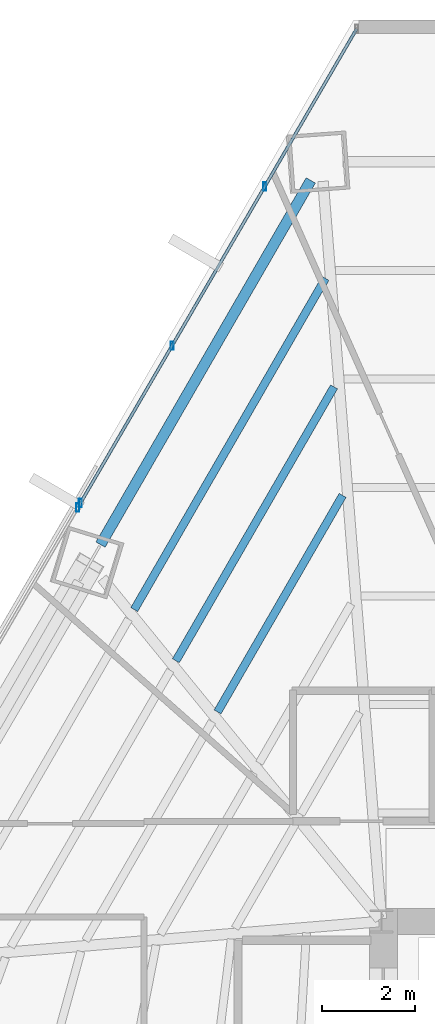
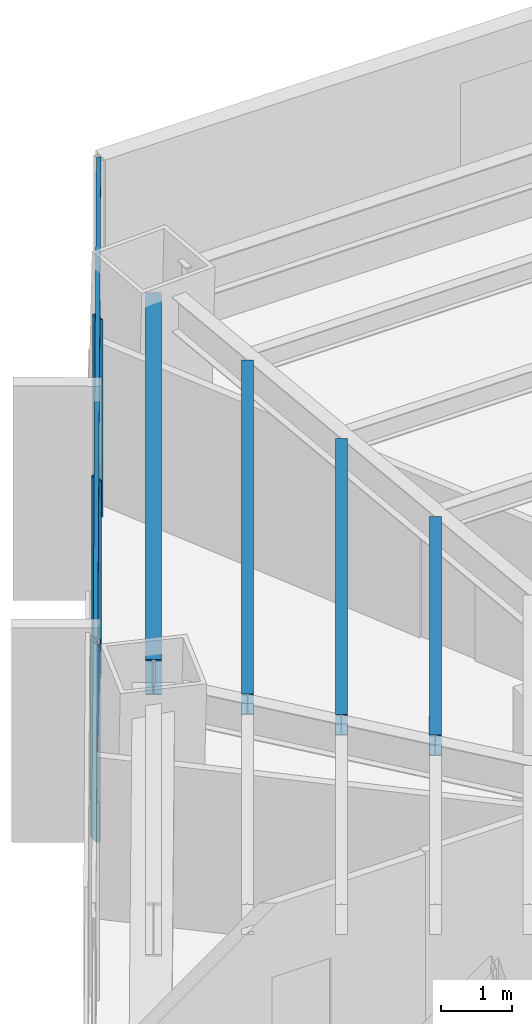
# One storey, part 26 of 37: 6 members, 4 beams, 2 elements without a shape of their own.
"""IFC4 building model written with IfcOpenShell, lengths in metres."""

from ifc_helpers import new_model, si_unit, direction, frame, origin, origin_2d, place, context, subcontext, project, spatial, hollow_rectangle, i_section, extrude, source, transform, mapped, material, material_profile, profile_set, type_object, type_shapes, element, aggregate, save


model = new_model("IFC4")

# Units and contexts
model_context = context("Model", 3, precision=1e-05, world=origin(), true_north=direction((0.0, 1.0)))
body_context = subcontext(model_context, "Body", "Model", "MODEL_VIEW")
ifc_project = project(units=[si_unit("LENGTHUNIT", "METRE"), si_unit("AREAUNIT", "SQUARE_METRE"), si_unit("VOLUMEUNIT", "CUBIC_METRE"), si_unit("PLANEANGLEUNIT", "RADIAN"), si_unit("MASSUNIT", "GRAM", prefix="KILO")], contexts=[model_context])

# Site, building, storey
site_placement = place(None, origin())
site = spatial("IfcSite", under=ifc_project, at=site_placement, CompositionType="ELEMENT")
building_placement = place(site_placement, origin())
building = spatial("IfcBuilding", under=site, at=building_placement, Name="Caelisora Broadcast Tower", CompositionType="ELEMENT")
storey_placement = place(building_placement, frame((0.0, 0.0, 45.85009765625)))
storey = spatial("IfcBuildingStorey", under=building, at=storey_placement, Name="L11", CompositionType="ELEMENT", Elevation=45.85009765625)

# Beams
ifc_material_1 = material(Name="Steel Grade 350 (AS/NZS 3679.1)", Category="steel")
ifc_material_profile_1 = material_profile(ifc_material_1, i_section(OverallWidth=0.22900390625, OverallDepth=0.611572265625, WebThickness=0.011962890625, FlangeThickness=0.01953125, at=origin_2d()), Name="Steel Grade 350 (AS/NZS 3679.1)")
ifc_profile_set_1 = profile_set([ifc_material_profile_1], Name="Steel Grade 350 (AS/NZS 3679.1)")
beam_type_1 = type_object("IfcBeamType", Name="PG03", PredefinedType="BEAM", material=ifc_profile_set_1)
shared_shape_1 = source(origin(), body_context, "Body", "SweptSolid", [
    extrude(i_section(OverallWidth=0.22900390625, OverallDepth=0.611572265625, WebThickness=0.011962890625, FlangeThickness=0.01953125, at=origin_2d()), origin(), (0.0, 0.0, 1.0), 9.03125),
])
type_shapes(beam_type_1, [shared_shape_1])
beam_1_placement = place(storey_placement, frame((28.981689453125, 45.912109375, 3.093994140625), z_axis=(-0.500020411631, -0.866013618803, 0.0), x_axis=(0.866013618803, -0.500020411631, 0.0)))
element("IfcBeam", 1, at=beam_1_placement, inside=storey, type_object=beam_type_1, Name="L11 beam PG03", PredefinedType="BEAM", context=body_context, shape_type="MappedRepresentation", body=[
    mapped(shared_shape_1, transform((0.0, 0.0, 0.0), scale=1.0)),
])
ifc_material_profile_2 = material_profile(ifc_material_1, i_section(OverallWidth=0.172119140625, OverallDepth=0.358642578125, WebThickness=0.008056640625, FlangeThickness=0.012939453125, at=origin_2d()), Name="Steel Grade 350 (AS/NZS 3679.1)")
ifc_profile_set_2 = profile_set([ifc_material_profile_2], Name="Steel Grade 350 (AS/NZS 3679.1)")
beam_type_2 = type_object("IfcBeamType", Name="SB02", PredefinedType="JOIST", material=ifc_profile_set_2)
shared_shape_2 = source(origin(), body_context, "Body", "SweptSolid", [
    extrude(i_section(OverallWidth=0.172119140625, OverallDepth=0.358642578125, WebThickness=0.008056640625, FlangeThickness=0.012939453125, at=origin_2d()), origin(), (0.0, 0.0, 1.0), 5.369384765625),
])
beam_2_placement = place(storey_placement, frame((29.664794921875, 39.148681640625, 3.220703125), z_axis=(-0.500026830324, -0.866009912735, 0.0), x_axis=(0.866009912735, -0.500026830324, 0.0)))
element("IfcBeam", 2, at=beam_2_placement, inside=storey, type_object=beam_type_2, Name="L11 beam SB02", PredefinedType="JOIST", context=body_context, shape_type="MappedRepresentation", body=[
    mapped(shared_shape_2, transform((0.0, 0.0, 0.0), scale=1.0)),
])
shared_shape_3 = source(origin(), body_context, "Body", "SweptSolid", [
    extrude(i_section(OverallWidth=0.172119140625, OverallDepth=0.358642578125, WebThickness=0.008056640625, FlangeThickness=0.012939453125, at=origin_2d()), origin(), (0.0, 0.0, 1.0), 6.791015625),
])
beam_3_placement = place(storey_placement, frame((29.480712890625, 41.478759765625, 3.220703125), z_axis=(-0.500005645154, -0.866022144529, 0.0), x_axis=(0.866022144529, -0.500005645154, 0.0)))
element("IfcBeam", 3, at=beam_3_placement, inside=storey, type_object=beam_type_2, Name="L11 beam SB02", PredefinedType="JOIST", context=body_context, shape_type="MappedRepresentation", body=[
    mapped(shared_shape_3, transform((0.0, 0.0, 0.0), scale=1.0)),
])
shared_shape_4 = source(origin(), body_context, "Body", "SweptSolid", [
    extrude(i_section(OverallWidth=0.172119140625, OverallDepth=0.358642578125, WebThickness=0.008056640625, FlangeThickness=0.012939453125, at=origin_2d()), origin(), (0.0, 0.0, 1.0), 8.212646484375),
])
type_shapes(beam_type_2, [shared_shape_2, shared_shape_3, shared_shape_4])
beam_4_placement = place(storey_placement, frame((29.296630859375, 43.808837890625, 3.220703125), z_axis=(-0.500014089762, -0.866017268904, 0.0), x_axis=(0.866017268904, -0.500014089762, 0.0)))
element("IfcBeam", 4, at=beam_4_placement, inside=storey, type_object=beam_type_2, Name="L11 beam SB02", PredefinedType="JOIST", context=body_context, shape_type="MappedRepresentation", body=[
    mapped(shared_shape_4, transform((0.0, 0.0, 0.0), scale=1.0)),
])

# Curtain wall, member
ifc_material_2 = material(Name="Unitised Aluminium Insulated Shadow-Box Spandrel Curtain Wall", Category="aluminium")
curtain_wall_type_1 = type_object("IfcCurtainWallType", Name="CW-SP1", PredefinedType="NOTDEFINED", material=ifc_material_2)
curtain_wall_1_placement = place(storey_placement, origin())
curtain_wall_1 = element("IfcCurtainWall", 5, at=curtain_wall_1_placement, inside=storey, type_object=curtain_wall_type_1, Name="L11 curtain wall CW-SP1", PredefinedType="NOTDEFINED")
ifc_material_3 = material(Name="Aluminium 6063-T6 Anodised Terracotta Bronze", Category="aluminium")
ifc_material_profile_3 = material_profile(ifc_material_3, hollow_rectangle(XDim=0.06494140625, YDim=0.179931640625, WallThickness=0.00341796875, at=origin_2d()), Name="Aluminium 6063-T6 Anodised Terracotta Bronze")
ifc_profile_set_3 = profile_set([ifc_material_profile_3], Name="Aluminium 6063-T6 Anodised Terracotta Bronze")
member_type_1 = type_object("IfcMemberType", Name="CWM-02", PredefinedType="MULLION", material=ifc_profile_set_3)
shared_shape_5 = source(origin(), body_context, "Body", "SweptSolid", [
    extrude(hollow_rectangle(XDim=0.06494140625, YDim=0.179931640625, WallThickness=0.00341796875, at=origin_2d()), origin(), (0.0, 0.0, 1.0), 3.39990234375),
])
type_shapes(member_type_1, [shared_shape_5])
member_1_placement = place(storey_placement, frame((23.979248046875, 38.88720703125, 0.0), z_axis=(0.0, 0.0, 1.0), x_axis=(1.0, 0.0, 0.0)))
member_1 = element("IfcMember", 6, at=member_1_placement, type_object=member_type_1, Name="L11-CW-B10 mullion #3", PredefinedType="MULLION", context=body_context, shape_type="MappedRepresentation", body=[
    mapped(shared_shape_5, transform((0.0, 0.0, 0.0), scale=1.0)),
])
aggregate(curtain_wall_1, [member_1])

# Curtain wall, members
ifc_material_4 = material(Name="Unitised Aluminium and Low-E Glass Curtain Wall", Category="glass")
curtain_wall_type_2 = type_object("IfcCurtainWallType", Name="CW-Z1", PredefinedType="NOTDEFINED", material=ifc_material_4)
curtain_wall_2_placement = place(storey_placement, origin())
curtain_wall_2 = element("IfcCurtainWall", 7, at=curtain_wall_2_placement, inside=storey, type_object=curtain_wall_type_2, Name="L11 curtain wall CW-Z1", PredefinedType="NOTDEFINED")
member_2_placement = place(storey_placement, frame((24.034423828125, 38.982177734375, 0.0), z_axis=(0.0, 0.0, 1.0), x_axis=(1.0, 0.0, 0.0)))
member_2 = element("IfcMember", 8, at=member_2_placement, type_object=member_type_1, Name="L11-CW-B11 mullion #0", PredefinedType="MULLION", context=body_context, shape_type="MappedRepresentation", body=[
    mapped(shared_shape_5, transform((0.0, 0.0, 0.0), scale=1.0)),
])
member_3_placement = place(storey_placement, frame((26.0029296875, 42.36181640625, 0.0), z_axis=(0.0, 0.0, 1.0), x_axis=(1.0, 0.0, 0.0)))
member_3 = element("IfcMember", 9, at=member_3_placement, type_object=member_type_1, Name="L11-CW-B11 mullion #1", PredefinedType="MULLION", context=body_context, shape_type="MappedRepresentation", body=[
    mapped(shared_shape_5, transform((0.0, 0.0, 0.0), scale=1.0)),
])
member_4_placement = place(storey_placement, frame((27.99658203125, 45.7841796875, 0.0), z_axis=(0.0, 0.0, 1.0), x_axis=(1.0, 0.0, 0.0)))
member_4 = element("IfcMember", 10, at=member_4_placement, type_object=member_type_1, Name="L11-CW-B11 mullion #2", PredefinedType="MULLION", context=body_context, shape_type="MappedRepresentation", body=[
    mapped(shared_shape_5, transform((0.0, 0.0, 0.0), scale=1.0)),
])
ifc_material_profile_4 = material_profile(ifc_material_3, hollow_rectangle(XDim=0.06494140625, YDim=0.179931640625, WallThickness=0.00341796875, at=origin_2d()), Name="Aluminium 6063-T6 Anodised Terracotta Bronze")
ifc_profile_set_4 = profile_set([ifc_material_profile_4], Name="Aluminium 6063-T6 Anodised Terracotta Bronze")
member_type_2 = type_object("IfcMemberType", Name="CWT-01", PredefinedType="USERDEFINED", material=ifc_profile_set_4)
shared_shape_6 = source(origin(), body_context, "Body", "SweptSolid", [
    extrude(hollow_rectangle(XDim=0.06494140625, YDim=0.179931640625, WallThickness=0.00341796875, at=origin_2d()), origin(), (0.0, 0.0, 1.0), 11.782958984375),
])
type_shapes(member_type_2, [shared_shape_6])
member_5_placement = place(storey_placement, frame((24.034423828125, 38.982177734375, 0.849853515625), z_axis=(0.503309224813, 0.864106373208, 0.0), x_axis=(-0.864106373208, 0.503309224813, 0.0)))
member_5 = element("IfcMember", 11, at=member_5_placement, type_object=member_type_2, Name="L11-CW-B11 transom #1", ObjectType="TRANSOM", PredefinedType="USERDEFINED", context=body_context, shape_type="MappedRepresentation", body=[
    mapped(shared_shape_6, transform((0.0, 0.0, 0.0), scale=1.0)),
])
member_6_placement = place(storey_placement, frame((24.034423828125, 38.982177734375, 3.31982421875), z_axis=(0.503309224813, 0.864106373208, 0.0), x_axis=(-0.864106373208, 0.503309224813, 0.0)))
member_6 = element("IfcMember", 12, at=member_6_placement, type_object=member_type_2, Name="L11-CW-B11 transom #2", ObjectType="TRANSOM", PredefinedType="USERDEFINED", context=body_context, shape_type="MappedRepresentation", body=[
    mapped(shared_shape_6, transform((0.0, 0.0, 0.0), scale=1.0)),
])
aggregate(curtain_wall_2, [member_2, member_3, member_4, member_5, member_6])

save(model, "model.ifc")
